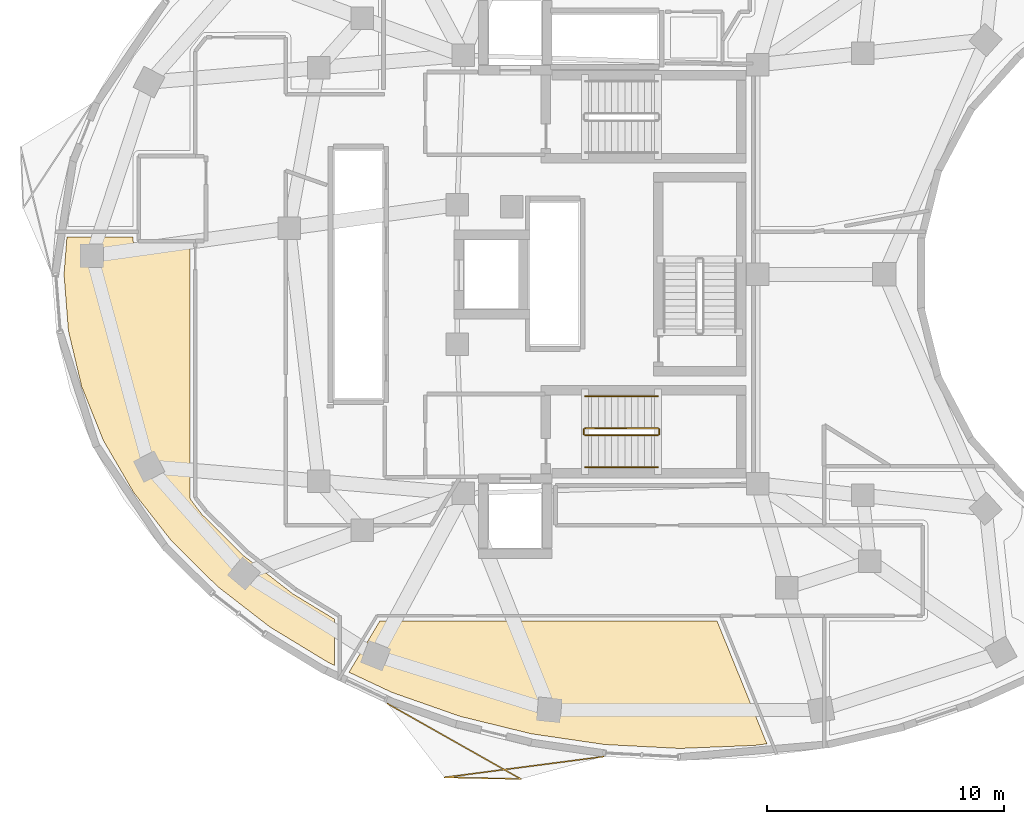
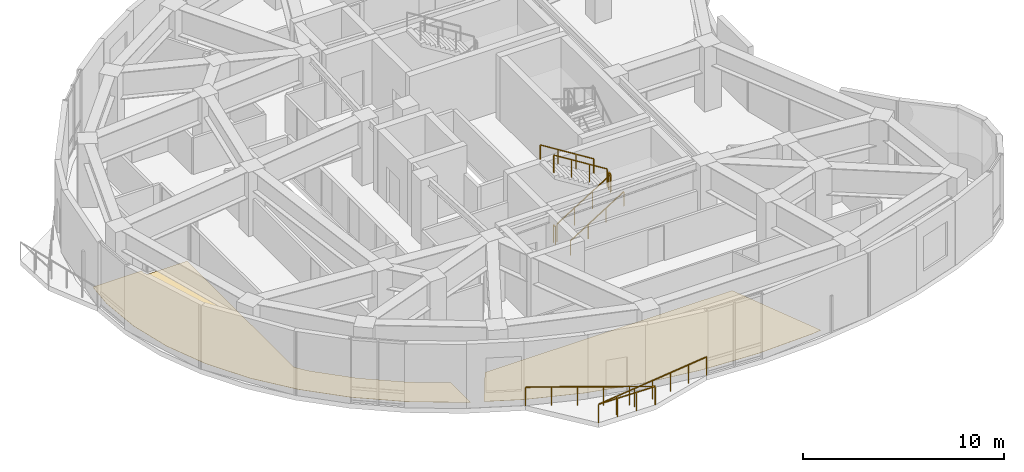
# One storey, part 10 of 12: 7 railings, 2 coverings.
"""IFC4 building model written with IfcOpenShell, lengths in metres."""

from ifc_helpers import new_model, si_unit, direction, frame, origin, origin_2d, place, context, subcontext, project, spatial, polyline, rectangle, outline, extrude, material, layer, layer_set, type_object, element, save


model = new_model("IFC4")

# Units and contexts
model_context = context("Model", 3, precision=1e-05, world=origin(), true_north=direction((0.0, 1.0)))
body_context = subcontext(model_context, "Body", "Model", "MODEL_VIEW")
ifc_project = project(units=[si_unit("LENGTHUNIT", "METRE"), si_unit("AREAUNIT", "SQUARE_METRE"), si_unit("VOLUMEUNIT", "CUBIC_METRE"), si_unit("PLANEANGLEUNIT", "RADIAN"), si_unit("MASSUNIT", "GRAM", prefix="KILO")], contexts=[model_context])

# Site, building, storey
site_placement = place(None, origin())
site = spatial("IfcSite", under=ifc_project, at=site_placement, CompositionType="ELEMENT")
building_placement = place(site_placement, origin())
building = spatial("IfcBuilding", under=site, at=building_placement, Name="Korentha Bioscience Tower", CompositionType="ELEMENT")
storey_placement = place(building_placement, frame((0.0, 0.0, 196.199951171875)))
storey = spatial("IfcBuildingStorey", under=building, at=storey_placement, Name="L45", CompositionType="ELEMENT", Elevation=196.199951171875)

# Railings
ifc_material_1 = material(Name="Stainless Steel 304", Category="steel")
railing_type_1 = type_object("IfcRailingType", Name="Brushed Stainless Stair Handrail 900", PredefinedType="HANDRAIL", material=ifc_material_1)
railing_1_placement = place(storey_placement, frame((30.25, 18.85009765625, 0.175048828125)))
element("IfcRailing", 1, at=railing_1_placement, inside=storey, type_object=railing_type_1, Name="L45 ST-2 stair handrail 1", PredefinedType="HANDRAIL", context=body_context, shape_type="SweptSolid", body=[
    extrude(rectangle(XDim=0.048095703125, YDim=0.048095703125, at=origin_2d()), frame((0.0, 0.0, 0.8759765625), z_axis=(0.847998304005, 0.0, 0.529998940003), x_axis=(0.0, 1.0, 0.0)), (0.0, 0.0, 1.0), 3.632080078125),
    extrude(rectangle(XDim=0.0419921875, YDim=0.0419921875, at=origin_2d()), origin(), (0.0, 0.0, 1.0), 0.851806640625),
    extrude(rectangle(XDim=0.0419921875, YDim=0.0419921875, at=origin_2d()), frame((1.026611328125, 0.0, 0.6416015625)), (0.0, 0.0, 1.0), 0.851806640625),
    extrude(rectangle(XDim=0.0419921875, YDim=0.0419921875, at=origin_2d()), frame((2.053466796875, 0.0, 1.283447265625)), (0.0, 0.0, 1.0), 0.851806640625),
    extrude(rectangle(XDim=0.0419921875, YDim=0.0419921875, at=origin_2d()), frame((3.080078125, 0.0, 1.925048828125)), (0.0, 0.0, 1.0), 0.851806640625),
])
railing_2_placement = place(storey_placement, frame((33.330078125, 21.85009765625, 2.275146484375)))
element("IfcRailing", 2, at=railing_2_placement, inside=storey, type_object=railing_type_1, Name="L45 ST-2 stair handrail 2", PredefinedType="HANDRAIL", context=body_context, shape_type="SweptSolid", body=[
    extrude(rectangle(XDim=0.048095703125, YDim=0.048095703125, at=origin_2d()), frame((0.0, 0.0, 0.8759765625), z_axis=(-0.848028513186, 0.0, 0.529950602248), x_axis=(0.0, -1.0, 0.0)), (0.0, 0.0, 1.0), 3.632080078125),
    extrude(rectangle(XDim=0.0419921875, YDim=0.0419921875, at=origin_2d()), origin(), (0.0, 0.0, 1.0), 0.851806640625),
    extrude(rectangle(XDim=0.0419921875, YDim=0.0419921875, at=origin_2d()), frame((-1.026611328125, 0.0, 0.6416015625)), (0.0, 0.0, 1.0), 0.851806640625),
    extrude(rectangle(XDim=0.0419921875, YDim=0.0419921875, at=origin_2d()), frame((-2.053466796875, 0.0, 1.283203125)), (0.0, 0.0, 1.0), 0.851806640625),
    extrude(rectangle(XDim=0.0419921875, YDim=0.0419921875, at=origin_2d()), frame((-3.080078125, 0.0, 1.9248046875)), (0.0, 0.0, 1.0), 0.851806640625),
])
ifc_material_2 = material(Name="Laminated Tempered Safety Glass", Category="glass")
railing_type_2 = type_object("IfcRailingType", Name="Laminated Glass Balcony Guardrail 1150", PredefinedType="BALUSTRADE", material=ifc_material_2)
railing_3_placement = place(storey_placement, frame((21.907470703125, 8.871337890625, 0.0)))
element("IfcRailing", 3, at=railing_3_placement, inside=storey, type_object=railing_type_2, Name="L45 Balcony Guardrail 03", PredefinedType="BALUSTRADE", context=body_context, shape_type="SweptSolid", body=[
    extrude(rectangle(XDim=0.048095703125, YDim=0.048095703125, at=origin_2d()), frame((0.0, 0.0, 1.1259765625), z_axis=(0.870664024138, -0.491878193327, 0.0), x_axis=(0.491878193327, 0.870664024138, 0.0)), (0.0, 0.0, 1.0), 6.4697265625),
    extrude(rectangle(XDim=0.048095703125, YDim=0.048095703125, at=origin_2d()), frame((5.633056640625, -3.182373046875, 1.1259765625), z_axis=(-0.99977218626, 0.021344216559, 0.0), x_axis=(-0.021344216559, -0.99977218626, 0.0)), (0.0, 0.0, 1.0), 3.2255859375),
    extrude(rectangle(XDim=0.048095703125, YDim=0.048095703125, at=origin_2d()), frame((2.408203125, -3.113525390625, 1.1259765625), z_axis=(0.99157569469, 0.129528536236, 0.0), x_axis=(-0.129528536236, 0.99157569469, 0.0)), (0.0, 0.0, 1.0), 6.77978515625),
    extrude(rectangle(XDim=0.0419921875, YDim=0.0419921875, at=origin_2d()), origin(), (0.0, 0.0, 1.0), 1.101806640625),
    extrude(rectangle(XDim=0.0419921875, YDim=0.0419921875, at=origin_2d()), frame((1.126708984375, -0.636474609375, 0.0)), (0.0, 0.0, 1.0), 1.101806640625),
    extrude(rectangle(XDim=0.0419921875, YDim=0.0419921875, at=origin_2d()), frame((2.253173828125, -1.27294921875, 0.0)), (0.0, 0.0, 1.0), 1.101806640625),
    extrude(rectangle(XDim=0.0419921875, YDim=0.0419921875, at=origin_2d()), frame((3.3798828125, -1.909423828125, 0.0)), (0.0, 0.0, 1.0), 1.101806640625),
    extrude(rectangle(XDim=0.0419921875, YDim=0.0419921875, at=origin_2d()), frame((4.50634765625, -2.5458984375, 0.0)), (0.0, 0.0, 1.0), 1.101806640625),
    extrude(rectangle(XDim=0.0419921875, YDim=0.0419921875, at=origin_2d()), frame((5.633056640625, -3.182373046875, 0.0)), (0.0, 0.0, 1.0), 1.101806640625),
    extrude(rectangle(XDim=0.0419921875, YDim=0.0419921875, at=origin_2d()), frame((4.55810546875, -3.159423828125, 0.0)), (0.0, 0.0, 1.0), 1.101806640625),
    extrude(rectangle(XDim=0.0419921875, YDim=0.0419921875, at=origin_2d()), frame((3.483154296875, -3.136474609375, 0.0)), (0.0, 0.0, 1.0), 1.101806640625),
    extrude(rectangle(XDim=0.0419921875, YDim=0.0419921875, at=origin_2d()), frame((2.408203125, -3.113525390625, 0.0)), (0.0, 0.0, 1.0), 1.101806640625),
    extrude(rectangle(XDim=0.0419921875, YDim=0.0419921875, at=origin_2d()), frame((3.528564453125, -2.96728515625, 0.0)), (0.0, 0.0, 1.0), 1.101806640625),
    extrude(rectangle(XDim=0.0419921875, YDim=0.0419921875, at=origin_2d()), frame((4.649169921875, -2.82080078125, 0.0)), (0.0, 0.0, 1.0), 1.101806640625),
    extrude(rectangle(XDim=0.0419921875, YDim=0.0419921875, at=origin_2d()), frame((5.76953125, -2.67431640625, 0.0)), (0.0, 0.0, 1.0), 1.101806640625),
    extrude(rectangle(XDim=0.0419921875, YDim=0.0419921875, at=origin_2d()), frame((6.889892578125, -2.528076171875, 0.0)), (0.0, 0.0, 1.0), 1.101806640625),
    extrude(rectangle(XDim=0.0419921875, YDim=0.0419921875, at=origin_2d()), frame((8.010498046875, -2.3818359375, 0.0)), (0.0, 0.0, 1.0), 1.101806640625),
    extrude(rectangle(XDim=0.0419921875, YDim=0.0419921875, at=origin_2d()), frame((9.130859375, -2.2353515625, 0.0)), (0.0, 0.0, 1.0), 1.101806640625),
])
ifc_material_3 = material(Name="Painted Steel S275", Category="steel")
railing_type_3 = type_object("IfcRailingType", Name="Painted Steel Stair Well Guardrail 1100", PredefinedType="GUARDRAIL", material=ifc_material_3)
railing_4_placement = place(storey_placement, frame((30.25, 20.199951171875, 0.175048828125)))
element("IfcRailing", 4, at=railing_4_placement, inside=storey, type_object=railing_type_3, Name="L45 ST-2 stair guard 1", PredefinedType="GUARDRAIL", context=body_context, shape_type="SweptSolid", body=[
    extrude(rectangle(XDim=0.048095703125, YDim=0.048095703125, at=origin_2d()), frame((0.0, 0.0, 1.076171875), z_axis=(0.847998304005, 0.0, 0.529998940003), x_axis=(0.0, 1.0, 0.0)), (0.0, 0.0, 1.0), 3.632080078125),
    extrude(rectangle(XDim=0.0419921875, YDim=0.0419921875, at=origin_2d()), origin(), (0.0, 0.0, 1.0), 1.052001953125),
    extrude(rectangle(XDim=0.0419921875, YDim=0.0419921875, at=origin_2d()), frame((1.026611328125, 0.0, 0.6416015625)), (0.0, 0.0, 1.0), 1.052001953125),
    extrude(rectangle(XDim=0.0419921875, YDim=0.0419921875, at=origin_2d()), frame((2.053466796875, 0.0, 1.283447265625)), (0.0, 0.0, 1.0), 1.052001953125),
    extrude(rectangle(XDim=0.0419921875, YDim=0.0419921875, at=origin_2d()), frame((3.080078125, 0.0, 1.925048828125)), (0.0, 0.0, 1.0), 1.052001953125),
])
railing_5_placement = place(storey_placement, frame((33.3798828125, 20.25, 2.10009765625)))
element("IfcRailing", 5, at=railing_5_placement, inside=storey, type_object=railing_type_3, Name="L45 ST-2 stair guard 2", PredefinedType="GUARDRAIL", context=body_context, shape_type="SweptSolid", body=[
    extrude(rectangle(XDim=0.048095703125, YDim=0.048095703125, at=origin_2d()), frame((0.0, 0.0, 1.076171875), z_axis=(0.0, 1.0, 0.0), x_axis=(-1.0, 0.0, 0.0)), (0.0, 0.0, 1.0), 0.199951171875),
    extrude(rectangle(XDim=0.0419921875, YDim=0.0419921875, at=origin_2d()), origin(), (0.0, 0.0, 1.0), 1.052001953125),
    extrude(rectangle(XDim=0.0419921875, YDim=0.0419921875, at=origin_2d()), frame((0.0, 0.199951171875, 0.0)), (0.0, 0.0, 1.0), 1.052001953125),
])
railing_6_placement = place(storey_placement, frame((33.330078125, 20.5, 2.275146484375)))
element("IfcRailing", 6, at=railing_6_placement, inside=storey, type_object=railing_type_3, Name="L45 ST-2 stair guard 3", PredefinedType="GUARDRAIL", context=body_context, shape_type="SweptSolid", body=[
    extrude(rectangle(XDim=0.048095703125, YDim=0.048095703125, at=origin_2d()), frame((0.0, 0.0, 1.076171875), z_axis=(-0.848028513186, 0.0, 0.529950602248), x_axis=(0.0, -1.0, 0.0)), (0.0, 0.0, 1.0), 3.632080078125),
    extrude(rectangle(XDim=0.0419921875, YDim=0.0419921875, at=origin_2d()), origin(), (0.0, 0.0, 1.0), 1.052001953125),
    extrude(rectangle(XDim=0.0419921875, YDim=0.0419921875, at=origin_2d()), frame((-1.026611328125, 0.0, 0.6416015625)), (0.0, 0.0, 1.0), 1.052001953125),
    extrude(rectangle(XDim=0.0419921875, YDim=0.0419921875, at=origin_2d()), frame((-2.053466796875, 0.0, 1.283203125)), (0.0, 0.0, 1.0), 1.052001953125),
    extrude(rectangle(XDim=0.0419921875, YDim=0.0419921875, at=origin_2d()), frame((-3.080078125, 0.0, 1.9248046875)), (0.0, 0.0, 1.0), 1.052001953125),
])
railing_7_placement = place(storey_placement, frame((30.199951171875, 20.25, 0.0)))
element("IfcRailing", 7, at=railing_7_placement, inside=storey, type_object=railing_type_3, Name="L45 ST-2 stair guard 4", PredefinedType="GUARDRAIL", context=body_context, shape_type="SweptSolid", body=[
    extrude(rectangle(XDim=0.048095703125, YDim=0.048095703125, at=origin_2d()), frame((0.0, 0.0, 1.076171875), z_axis=(0.0, 1.0, 0.0), x_axis=(-1.0, 0.0, 0.0)), (0.0, 0.0, 1.0), 0.199951171875),
    extrude(rectangle(XDim=0.0419921875, YDim=0.0419921875, at=origin_2d()), origin(), (0.0, 0.0, 1.0), 1.052001953125),
    extrude(rectangle(XDim=0.0419921875, YDim=0.0419921875, at=origin_2d()), frame((0.0, 0.199951171875, 0.0)), (0.0, 0.0, 1.0), 1.052001953125),
])

# Coverings
ifc_material_4 = material(Name="Chemical-Resistant Epoxy Resin", Category="polymer")
ifc_layer = layer(ifc_material_4, 0.011962890625, Name="Chemical-Resistant Epoxy Resin")
ifc_layer_set = layer_set([ifc_layer], Name="Chemical-Resistant Epoxy Resin (FL-EPX)")
covering_type = type_object("IfcCoveringType", Name="Seamless Epoxy Laboratory Flooring 12", PredefinedType="FLOORING", material=ifc_layer_set)
covering_1_placement = place(storey_placement, origin())
element("IfcCovering", 8, at=covering_1_placement, inside=storey, type_object=covering_type, Name="L45 Biomechanical Motion Analysis Lab 01 Floor Finish", PredefinedType="FLOORING", context=body_context, shape_type="SweptSolid", body=[
    extrude(outline(polyline([(8.37109375, 28.577880859375), (11.169921875, 28.577880859375), (11.17041015625, 28.38818359375), (11.1923828125, 28.30126953125), (11.2626953125, 28.215576171875), (11.36572265625, 28.172607421875), (13.570068359375, 28.169921875), (13.570068359375, 17.58251953125), (13.582763671875, 17.507080078125), (14.073974609375, 16.859619140625), (15.849609375, 15.10546875), (17.905517578125, 13.512939453125), (19.677978515625, 12.435302734375), (19.677978515625, 10.48291015625), (19.410888671875, 10.6083984375), (16.94091796875, 12.109375), (14.727294921875, 13.82421875), (12.801025390625, 15.726806640625), (11.189453125, 17.788330078125), (9.914306640625, 19.978271484375), (8.991943359375, 22.26513671875), (8.43408203125, 24.616455078125), (8.24755859375, 27.0), (8.37109375, 28.577880859375)])), origin(), (0.0, 0.0, 1.0), 0.011962890625),
])
covering_2_placement = place(storey_placement, origin())
element("IfcCovering", 9, at=covering_2_placement, inside=storey, type_object=covering_type, Name="L45 Research Colloquium Seminar Room 03 Floor Finish", PredefinedType="FLOORING", context=body_context, shape_type="SweptSolid", body=[
    extrude(outline(polyline([(21.5888671875, 12.3701171875), (35.8212890625, 12.3701171875), (37.929931640625, 7.17724609375), (37.402099609375, 7.106201171875), (34.243896484375, 6.97900390625), (31.0888671875, 7.14404296875), (27.983154296875, 7.598388671875), (24.972412109375, 8.33544921875), (22.10107421875, 9.343994140625), (20.28369140625, 10.197998046875), (21.5888671875, 12.3701171875)])), origin(), (0.0, 0.0, 1.0), 0.011962890625),
])

save(model, "model.ifc")
